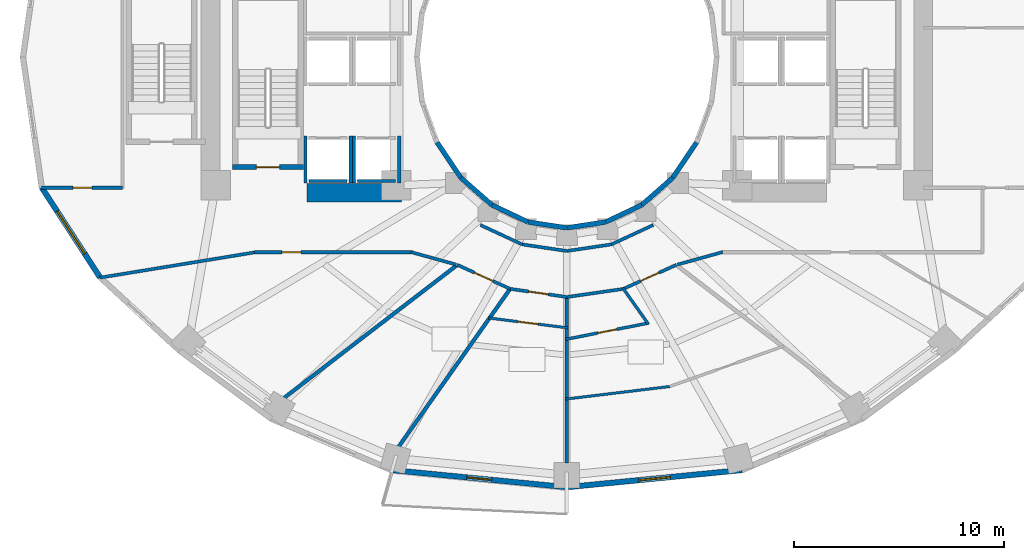
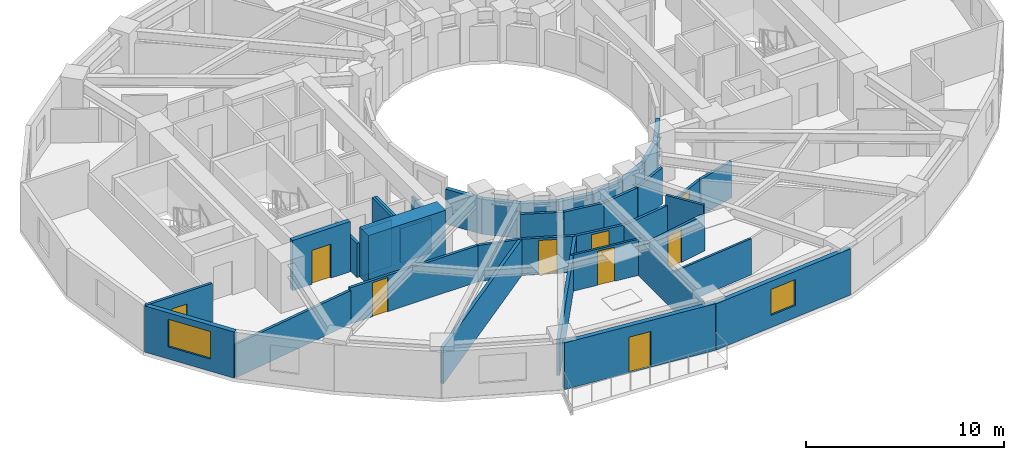
# One storey, part 3 of 10: 39 walls, 9 doors, 2 windows, 11 openings.
"""IFC4 building model written with IfcOpenShell, lengths in metres."""

from ifc_helpers import new_model, si_unit, direction, frame, frame_2d, origin, place, context, subcontext, project, spatial, rectangle, extrude, material, layer, layer_set, type_object, element, fill, save


model = new_model("IFC4")

# Units and contexts
model_context = context("Model", 3, precision=1e-05, world=origin(), true_north=direction((0.0, 1.0)))
body_context = subcontext(model_context, "Body", "Model", "MODEL_VIEW")
ifc_project = project(units=[si_unit("LENGTHUNIT", "METRE"), si_unit("AREAUNIT", "SQUARE_METRE"), si_unit("VOLUMEUNIT", "CUBIC_METRE"), si_unit("PLANEANGLEUNIT", "RADIAN"), si_unit("MASSUNIT", "GRAM", prefix="KILO")], contexts=[model_context])

# Site, building, storey
site_placement = place(None, origin())
site = spatial("IfcSite", under=ifc_project, at=site_placement, CompositionType="ELEMENT")
building_placement = place(site_placement, origin())
building = spatial("IfcBuilding", under=site, at=building_placement, Name="Solvane Sanctuary Tower", CompositionType="ELEMENT")
storey_placement = place(building_placement, frame((0.0, 0.0, 58.60009765625)))
storey = spatial("IfcBuildingStorey", under=building, at=storey_placement, Name="L17", CompositionType="ELEMENT", Elevation=58.60009765625)

# Walls
ifc_material_1 = material(Name="Concrete C70/85", Category="concrete")
ifc_layer_1 = layer(ifc_material_1, 0.89990234375, Name="Concrete C70/85")
ifc_layer_set_1 = layer_set([ifc_layer_1], Name="Concrete C70/85")
wall_type_1 = type_object("IfcWallType", Name="Wall W-CORE-900", PredefinedType="SHEAR", material=ifc_layer_set_1)
wall_1_placement = place(storey_placement, frame((19.64990234375, 16.550048828125, 0.0), z_axis=(0.0, 0.0, 1.0), x_axis=(1.0, 0.0, 0.0)))
element("IfcWall", 1, at=wall_1_placement, inside=storey, type_object=wall_type_1, Name="L17 Core Shear Wall WC-S", PredefinedType="SHEAR", context=body_context, shape_type="SweptSolid", body=[
    extrude(rectangle(XDim=4.5, YDim=0.89990234375, at=frame_2d((2.25, 0.0))), origin(), (0.0, 0.0, 1.0), 3.099853515625),
])
ifc_material_2 = material(Name="Acoustic Gypsum Partition Board")
ifc_layer_2 = layer(ifc_material_2, 0.14990234375, Name="Acoustic Gypsum Partition Board")
ifc_layer_set_2 = layer_set([ifc_layer_2], Name="Acoustic Gypsum Partition Board")
wall_type_2 = type_object("IfcWallType", Name="Wall W-CORR-150", PredefinedType="PARTITIONING", material=ifc_layer_set_2)
wall_2_placement = place(storey_placement, frame((27.889892578125, 15.01513671875, 0.0), z_axis=(0.0, 0.0, 1.0), x_axis=(0.906943449489, -0.421252393975, 0.0)))
element("IfcWall", 2, at=wall_2_placement, inside=storey, type_object=wall_type_2, Name="L17 Light-Well Corridor Rim Wall S1", PredefinedType="PARTITIONING", context=body_context, shape_type="SweptSolid", body=[
    extrude(rectangle(XDim=2.18603515625, YDim=0.14990234375, at=frame_2d((1.093017578125, 0.0))), origin(), (0.0, 0.0, 1.0), 2.23681640625),
])
for number, where, z_axis, x_axis, name in (
    (3, (29.87255859375, 14.09423828125, 0.0), (0.0, 0.0, 1.0), (0.989268584896, -0.146108408166, 0.0), "L17 Light-Well Corridor Rim Wall S2"),
    (4, (32.0, 13.780029296875, 0.0), (0.0, 0.0, 1.0), (0.989268584896, 0.146108408166, 0.0), "L17 Light-Well Corridor Rim Wall S3"),
):
    element("IfcWall", number, at=place(storey_placement, frame(where, z_axis=z_axis, x_axis=x_axis)), inside=storey, type_object=wall_type_2, Name=name, PredefinedType="PARTITIONING", context=body_context, shape_type="SweptSolid", body=[
        extrude(rectangle(XDim=2.150634765625, YDim=0.14990234375, at=frame_2d((1.0751953125, 0.0))), origin(), (0.0, 0.0, 1.0), 2.23681640625),
    ])
wall_3_placement = place(storey_placement, frame((34.12744140625, 14.09423828125, 0.0), z_axis=(0.0, 0.0, 1.0), x_axis=(0.906943449489, 0.421252393975, 0.0)))
element("IfcWall", 5, at=wall_3_placement, inside=storey, type_object=wall_type_2, Name="L17 Light-Well Corridor Rim Wall S4", PredefinedType="PARTITIONING", context=body_context, shape_type="SweptSolid", body=[
    extrude(rectangle(XDim=2.18603515625, YDim=0.14990234375, at=frame_2d((1.093017578125, 0.0))), origin(), (0.0, 0.0, 1.0), 2.23681640625),
])

# Wall, opening, door
wall_4_placement = place(storey_placement, frame((7.013671875, 16.788330078125, 0.0), z_axis=(0.0, 0.0, 1.0), x_axis=(1.0, 0.0, 0.0)))
wall_4 = element("IfcWall", 6, at=wall_4_placement, inside=storey, type_object=wall_type_2, Name="L17 West Shoulder South Wall", PredefinedType="PARTITIONING", context=body_context, shape_type="SweptSolid", body=[
    extrude(rectangle(XDim=3.8662109375, YDim=0.14990234375, at=frame_2d((1.93310546875, 0.0))), origin(), (0.0, 0.0, 1.0), 2.85498046875),
])
opening_1_placement = place(wall_4_placement, frame((1.503173828125, 0.0, 0.0)))
opening_1 = element("IfcOpeningElement", 7, at=opening_1_placement, cuts=wall_4, Name="Opening D-L17-12", PredefinedType="OPENING", context=body_context, shape_type="SweptSolid", body=[
    extrude(rectangle(XDim=0.89990234375, YDim=2.10009765625, at=frame_2d((0.449951171875, 1.050048828125))), frame((0.0, 0.0849609375, 0.0), z_axis=(0.0, -1.0, 0.0), x_axis=(1.0, 0.0, 0.0)), (0.0, 0.0, 1.0), 0.169921875),
])
ifc_material_3 = material(Name="Engineered Tropical Hardwood", Category="wood")
door_type_1 = type_object("IfcDoorType", Name="Door D-WET-900", OperationType="NOTDEFINED", PredefinedType="DOOR", material=ifc_material_3)
door_1_placement = place(opening_1_placement, origin())
door_1 = element("IfcDoor", 8, at=door_1_placement, inside=storey, type_object=door_type_1, Name="L17 West Shoulder South Door", OperationType="SINGLE_SWING_LEFT", OverallHeight=2.10009765625, OverallWidth=0.89990234375, PredefinedType="DOOR", context=body_context, shape_type="SweptSolid", body=[
    extrude(rectangle(XDim=0.89990234375, YDim=2.10009765625, at=frame_2d((0.449951171875, 1.050048828125))), frame((0.0, 0.02490234375, 0.0), z_axis=(0.0, -1.0, 0.0), x_axis=(1.0, 0.0, 0.0)), (0.0, 0.0, 1.0), 0.050048828125),
])
fill(opening_1, door_1)

# Wall
wall_5_placement = place(storey_placement, frame((26.741943359375, 13.13330078125, 0.0), z_axis=(0.0, 0.0, 1.0), x_axis=(-0.963833843713, 0.266503886865, 0.0)))
element("IfcWall", 9, at=wall_5_placement, inside=storey, type_object=wall_type_2, Name="L17 SW Corner Throat Wall", PredefinedType="PARTITIONING", context=body_context, shape_type="SweptSolid", body=[
    extrude(rectangle(XDim=2.231689453125, YDim=0.14990234375, at=frame_2d((1.11572265625, 0.0))), origin(), (0.0, 0.0, 1.0), 2.23681640625),
])

# Wall, opening, door
wall_6_placement = place(storey_placement, frame((17.14990234375, 13.719970703125, 0.0), z_axis=(0.0, 0.0, 1.0), x_axis=(1.0, 0.0, 0.0)))
wall_6 = element("IfcWall", 10, at=wall_6_placement, inside=storey, type_object=wall_type_2, Name="L17 SW Corner Corridor Wall", PredefinedType="PARTITIONING", context=body_context, shape_type="SweptSolid", body=[
    extrude(rectangle(XDim=7.52001953125, YDim=0.14990234375, at=frame_2d((3.760009765625, 0.0))), origin(), (0.0, 0.0, 1.0), 2.23681640625),
])
opening_2_placement = place(wall_6_placement, frame((1.300048828125, 0.0, 0.0)))
opening_2 = element("IfcOpeningElement", 11, at=opening_2_placement, cuts=wall_6, Name="Opening D-L17-17", PredefinedType="OPENING", context=body_context, shape_type="SweptSolid", body=[
    extrude(rectangle(XDim=0.89990234375, YDim=2.10009765625, at=frame_2d((0.449951171875, 1.050048828125))), frame((0.0, 0.0849609375, 0.0), z_axis=(0.0, -1.0, 0.0), x_axis=(1.0, 0.0, 0.0)), (0.0, 0.0, 1.0), 0.169921875),
])
door_2_placement = place(opening_2_placement, origin())
door_2 = element("IfcDoor", 12, at=door_2_placement, inside=storey, type_object=door_type_1, Name="L17 SW Corner Salon Door", OperationType="SINGLE_SWING_RIGHT", OverallHeight=2.10009765625, OverallWidth=0.89990234375, PredefinedType="DOOR", context=body_context, shape_type="SweptSolid", body=[
    extrude(rectangle(XDim=0.89990234375, YDim=2.10009765625, at=frame_2d((0.449951171875, 1.050048828125))), frame((0.0, 0.02490234375, 0.0), z_axis=(0.0, -1.0, 0.0), x_axis=(1.0, 0.0, 0.0)), (0.0, 0.0, 1.0), 0.050048828125),
])
fill(opening_2, door_2)

# Walls
wall_7_placement = place(storey_placement, frame((17.249267578125, 13.72802734375, 0.0), z_axis=(0.0, 0.0, 1.0), x_axis=(-0.98693078372, -0.161144742846, 0.0)))
element("IfcWall", 13, at=wall_7_placement, inside=storey, type_object=wall_type_2, Name="L17 SW Corner Wing Wall", PredefinedType="PARTITIONING", context=body_context, shape_type="SweptSolid", body=[
    extrude(rectangle(XDim=7.55712890625, YDim=0.14990234375, at=frame_2d((3.778564453125, 0.0))), origin(), (0.0, 0.0, 1.0), 2.06884765625),
])
wall_8_placement = place(storey_placement, frame((37.258056640625, 13.13330078125, 0.0), z_axis=(0.0, 0.0, 1.0), x_axis=(0.963833843713, 0.266503886865, 0.0)))
element("IfcWall", 14, at=wall_8_placement, inside=storey, type_object=wall_type_2, Name="L17 SE Corner Throat Wall", PredefinedType="PARTITIONING", context=body_context, shape_type="SweptSolid", body=[
    extrude(rectangle(XDim=2.231689453125, YDim=0.14990234375, at=frame_2d((1.11572265625, 0.0))), origin(), (0.0, 0.0, 1.0), 2.23681640625),
])

# Wall, opening, door
wall_9_placement = place(storey_placement, frame((26.788818359375, 13.12255859375, 0.0), z_axis=(0.0, 0.0, 1.0), x_axis=(0.910568469686, -0.41335827319, 0.0)))
wall_9 = element("IfcWall", 15, at=wall_9_placement, inside=storey, type_object=wall_type_2, Name="L17 Unit Corridor Wall S1", PredefinedType="PARTITIONING", context=body_context, shape_type="SweptSolid", body=[
    extrude(rectangle(XDim=2.771728515625, YDim=0.14990234375, at=frame_2d((1.3857421875, 0.0))), origin(), (0.0, 0.0, 1.0), 2.23681640625),
])
opening_3_placement = place(wall_9_placement, frame((0.910888671875, 0.0, 0.0)))
opening_3 = element("IfcOpeningElement", 16, at=opening_3_placement, cuts=wall_9, Name="Opening D-L17-26", PredefinedType="OPENING", context=body_context, shape_type="SweptSolid", body=[
    extrude(rectangle(XDim=0.949951171875, YDim=2.10009765625, at=frame_2d((0.47509765625, 1.050048828125))), frame((0.0, 0.0849609375, 0.0), z_axis=(0.0, -1.0, 0.0), x_axis=(1.0, 0.0, 0.0)), (0.0, 0.0, 1.0), 0.169921875),
])
door_type_2 = type_object("IfcDoorType", Name="Door D-ROOM-950", OperationType="NOTDEFINED", PredefinedType="DOOR", material=ifc_material_3)
door_3_placement = place(opening_3_placement, origin())
door_3 = element("IfcDoor", 17, at=door_3_placement, inside=storey, type_object=door_type_2, Name="L17 Unit Entrance Door S1", OperationType="SINGLE_SWING_LEFT", OverallHeight=2.10009765625, OverallWidth=0.949951171875, PredefinedType="DOOR", context=body_context, shape_type="SweptSolid", body=[
    extrude(rectangle(XDim=0.949951171875, YDim=2.10009765625, at=frame_2d((0.47509765625, 1.050048828125))), frame((0.0, 0.02490234375, 0.0), z_axis=(0.0, -1.0, 0.0), x_axis=(1.0, 0.0, 0.0)), (0.0, 0.0, 1.0), 0.050048828125),
])
fill(opening_3, door_3)

wall_10_placement = place(storey_placement, frame((29.298583984375, 11.98095703125, 0.0), z_axis=(0.0, 0.0, 1.0), x_axis=(0.989748682384, -0.142819976611, 0.0)))
wall_10 = element("IfcWall", 18, at=wall_10_placement, inside=storey, type_object=wall_type_2, Name="L17 Unit Corridor Wall S2", PredefinedType="PARTITIONING", context=body_context, shape_type="SweptSolid", body=[
    extrude(rectangle(XDim=2.73681640625, YDim=0.14990234375, at=frame_2d((1.368408203125, 0.0))), origin(), (0.0, 0.0, 1.0), 2.23681640625),
])
opening_4_placement = place(wall_10_placement, frame((0.893310546875, 0.0, 0.0)))
opening_4 = element("IfcOpeningElement", 19, at=opening_4_placement, cuts=wall_10, Name="Opening D-L17-28", PredefinedType="OPENING", context=body_context, shape_type="SweptSolid", body=[
    extrude(rectangle(XDim=0.949951171875, YDim=2.10009765625, at=frame_2d((0.47509765625, 1.050048828125))), frame((0.0, 0.0849609375, 0.0), z_axis=(0.0, -1.0, 0.0), x_axis=(1.0, 0.0, 0.0)), (0.0, 0.0, 1.0), 0.169921875),
])
door_4_placement = place(opening_4_placement, origin())
door_4 = element("IfcDoor", 20, at=door_4_placement, inside=storey, type_object=door_type_2, Name="L17 Unit Entrance Door S2", OperationType="SINGLE_SWING_LEFT", OverallHeight=2.10009765625, OverallWidth=0.949951171875, PredefinedType="DOOR", context=body_context, shape_type="SweptSolid", body=[
    extrude(rectangle(XDim=0.949951171875, YDim=2.10009765625, at=frame_2d((0.47509765625, 1.050048828125))), frame((0.0, 0.02490234375, 0.0), z_axis=(0.0, -1.0, 0.0), x_axis=(1.0, 0.0, 0.0)), (0.0, 0.0, 1.0), 0.050048828125),
])
fill(opening_4, door_4)

# Wall
wall_11_placement = place(storey_placement, frame((31.950439453125, 11.5830078125, 0.0), z_axis=(0.0, 0.0, 1.0), x_axis=(0.989761784218, 0.142729150844, 0.0)))
element("IfcWall", 21, at=wall_11_placement, inside=storey, type_object=wall_type_2, Name="L17 En-suite Inner Wall S3", PredefinedType="PARTITIONING", context=body_context, shape_type="SweptSolid", body=[
    extrude(rectangle(XDim=2.822265625, YDim=0.14990234375, at=frame_2d((1.4111328125, 0.0))), origin(), (0.0, 0.0, 1.0), 2.23681640625),
])

# Wall, opening, door
wall_12_placement = place(storey_placement, frame((34.687255859375, 11.976806640625, 0.0), z_axis=(0.0, 0.0, 1.0), x_axis=(0.910568469686, 0.41335827319, 0.0)))
wall_12 = element("IfcWall", 22, at=wall_12_placement, inside=storey, type_object=wall_type_2, Name="L17 Unit Corridor Wall S3", PredefinedType="PARTITIONING", context=body_context, shape_type="SweptSolid", body=[
    extrude(rectangle(XDim=2.771728515625, YDim=0.14990234375, at=frame_2d((1.3857421875, 0.0))), origin(), (0.0, 0.0, 1.0), 2.23681640625),
])
opening_5_placement = place(wall_12_placement, frame((0.910888671875, 0.0, 0.0)))
opening_5 = element("IfcOpeningElement", 23, at=opening_5_placement, cuts=wall_12, Name="Opening D-L17-31", PredefinedType="OPENING", context=body_context, shape_type="SweptSolid", body=[
    extrude(rectangle(XDim=0.949951171875, YDim=2.10009765625, at=frame_2d((0.47509765625, 1.050048828125))), frame((0.0, 0.0849609375, 0.0), z_axis=(0.0, -1.0, 0.0), x_axis=(1.0, 0.0, 0.0)), (0.0, 0.0, 1.0), 0.169921875),
])
door_5_placement = place(opening_5_placement, origin())
door_5 = element("IfcDoor", 24, at=door_5_placement, inside=storey, type_object=door_type_2, Name="L17 Unit Entrance Door S3", OperationType="SINGLE_SWING_RIGHT", OverallHeight=2.10009765625, OverallWidth=0.949951171875, PredefinedType="DOOR", context=body_context, shape_type="SweptSolid", body=[
    extrude(rectangle(XDim=0.949951171875, YDim=2.10009765625, at=frame_2d((0.47509765625, 1.050048828125))), frame((0.0, 0.02490234375, 0.0), z_axis=(0.0, -1.0, 0.0), x_axis=(1.0, 0.0, 0.0)), (0.0, 0.0, 1.0), 0.050048828125),
])
fill(opening_5, door_5)

# Wall, opening, window
ifc_material_4 = material(Name="Precast concrete C40/50", Category="concrete")
ifc_layer_3 = layer(ifc_material_4, 0.260009765625, Name="Precast concrete C40/50")
ifc_layer_set_3 = layer_set([ifc_layer_3], Name="Precast concrete C40/50")
wall_type_3 = type_object("IfcWallType", Name="Wall W-EXT-250", PredefinedType="STANDARD", material=ifc_layer_set_3)
wall_13_placement = place(storey_placement, frame((7.033447265625, 16.794677734375, 0.0), z_axis=(0.0, 0.0, 1.0), x_axis=(0.544578722263, -0.838709732421, 0.0)))
wall_13 = element("IfcWall", 25, at=wall_13_placement, inside=storey, type_object=wall_type_3, Name="L17 Ceramic-Printed Facade Wall 13", PredefinedType="STANDARD", context=body_context, shape_type="SweptSolid", body=[
    extrude(rectangle(XDim=5.091552734375, YDim=0.260009765625, at=frame_2d((2.5458984375, 0.0))), origin(), (0.0, 0.0, 1.0), 2.849853515625),
])
opening_6_placement = place(wall_13_placement, frame((1.345703125, 0.0, 0.75)))
opening_6 = element("IfcOpeningElement", 26, at=opening_6_placement, cuts=wall_13, Name="Opening WN-RIB-2400", PredefinedType="OPENING", context=body_context, shape_type="SweptSolid", body=[
    extrude(rectangle(XDim=2.39990234375, YDim=1.699951171875, at=frame_2d((1.199951171875, 0.85009765625))), frame((0.0, 0.139892578125, 0.0), z_axis=(0.0, -1.0, 0.0), x_axis=(1.0, 0.0, 0.0)), (0.0, 0.0, 1.0), 0.280029296875),
])
ifc_material_5 = material(Name="Dark Ceramic-Fritted Low-E Glass", Category="glass")
window_type_1 = type_object("IfcWindowType", Name="Window WN-RIB-2400", PartitioningType="SINGLE_PANEL", PredefinedType="WINDOW", material=ifc_material_5)
window_1_placement = place(opening_6_placement, origin())
window_1 = element("IfcWindow", 27, at=window_1_placement, inside=storey, type_object=window_type_1, Name="L17 Operable Facade Window 13", OverallHeight=1.699951171875, OverallWidth=2.39990234375, PartitioningType="SINGLE_PANEL", PredefinedType="WINDOW", context=body_context, shape_type="SweptSolid", body=[
    extrude(rectangle(XDim=2.39990234375, YDim=1.699951171875, at=frame_2d((1.199951171875, 0.85009765625))), frame((0.0, 0.030029296875, 0.0), z_axis=(0.0, -1.0, 0.0), x_axis=(1.0, 0.0, 0.0)), (0.0, 0.0, 1.0), 0.06005859375),
])
fill(opening_6, window_1)

# Wall, opening, door
wall_14_placement = place(storey_placement, frame((23.668212890625, 3.36376953125, 0.0), z_axis=(0.0, 0.0, 1.0), x_axis=(0.995247718352, -0.097375454379, 0.0)))
wall_14 = element("IfcWall", 28, at=wall_14_placement, inside=storey, type_object=wall_type_3, Name="L17 Balcony Facade Wall SC", PredefinedType="STANDARD", context=body_context, shape_type="SweptSolid", body=[
    extrude(rectangle(XDim=8.37158203125, YDim=0.260009765625, at=frame_2d((4.185791015625, 0.0))), origin(), (0.0, 0.0, 1.0), 2.8798828125),
])
opening_7_placement = place(wall_14_placement, frame((3.585693359375, 0.0, 0.0)))
opening_7 = element("IfcOpeningElement", 29, at=opening_7_placement, cuts=wall_14, Name="Opening D-L17-02", PredefinedType="OPENING", context=body_context, shape_type="SweptSolid", body=[
    extrude(rectangle(XDim=1.199951171875, YDim=2.199951171875, at=frame_2d((0.60009765625, 1.10009765625))), frame((0.0, 0.139892578125, 0.0), z_axis=(0.0, -1.0, 0.0), x_axis=(1.0, 0.0, 0.0)), (0.0, 0.0, 1.0), 0.280029296875),
])
ifc_material_6 = material(Name="Anodised Aluminium 6063-T6", Category="aluminium")
door_type_3 = type_object("IfcDoorType", Name="Door D-BALC-1200", OperationType="NOTDEFINED", PredefinedType="DOOR", material=ifc_material_6)
door_6_placement = place(opening_7_placement, origin())
door_6 = element("IfcDoor", 30, at=door_6_placement, inside=storey, type_object=door_type_3, Name="L17 Glazed Balcony Door SC", OperationType="SINGLE_SWING_LEFT", OverallHeight=2.199951171875, OverallWidth=1.199951171875, PredefinedType="DOOR", context=body_context, shape_type="SweptSolid", body=[
    extrude(rectangle(XDim=1.199951171875, YDim=2.199951171875, at=frame_2d((0.60009765625, 1.10009765625))), frame((0.0, 0.02490234375, 0.0), z_axis=(0.0, -1.0, 0.0), x_axis=(1.0, 0.0, 0.0)), (0.0, 0.0, 1.0), 0.050048828125),
])
fill(opening_7, door_6)

# Wall, opening, window
wall_15_placement = place(storey_placement, frame((32.0, 2.548583984375, 0.0), z_axis=(0.0, 0.0, 1.0), x_axis=(0.995247718352, 0.097375454379, 0.0)))
wall_15 = element("IfcWall", 31, at=wall_15_placement, inside=storey, type_object=wall_type_3, Name="L17 Ceramic-Printed Facade Wall 18", PredefinedType="STANDARD", context=body_context, shape_type="SweptSolid", body=[
    extrude(rectangle(XDim=8.37158203125, YDim=0.260009765625, at=frame_2d((4.185791015625, 0.0))), origin(), (0.0, 0.0, 1.0), 2.849853515625),
])
opening_8_placement = place(wall_15_placement, frame((3.435791015625, 0.0, 0.75)))
opening_8 = element("IfcOpeningElement", 32, at=opening_8_placement, cuts=wall_15, Name="Opening WN-OPER-1500", PredefinedType="OPENING", context=body_context, shape_type="SweptSolid", body=[
    extrude(rectangle(XDim=1.5, YDim=1.60009765625, at=frame_2d((0.75, 0.800048828125))), frame((0.0, 0.139892578125, 0.0), z_axis=(0.0, -1.0, 0.0), x_axis=(1.0, 0.0, 0.0)), (0.0, 0.0, 1.0), 0.280029296875),
])
window_type_2 = type_object("IfcWindowType", Name="Window WN-OPER-1500", PartitioningType="SINGLE_PANEL", PredefinedType="WINDOW", material=ifc_material_5)
window_2_placement = place(opening_8_placement, origin())
window_2 = element("IfcWindow", 33, at=window_2_placement, inside=storey, type_object=window_type_2, Name="L17 Operable Facade Window 18", OverallHeight=1.60009765625, OverallWidth=1.5, PartitioningType="SINGLE_PANEL", PredefinedType="WINDOW", context=body_context, shape_type="SweptSolid", body=[
    extrude(rectangle(XDim=1.5, YDim=1.60009765625, at=frame_2d((0.75, 0.800048828125))), frame((0.0, 0.030029296875, 0.0), z_axis=(0.0, -1.0, 0.0), x_axis=(1.0, 0.0, 0.0)), (0.0, 0.0, 1.0), 0.06005859375),
])
fill(opening_8, window_2)

# Walls
ifc_layer_4 = layer(ifc_material_4, 0.22998046875, Name="Precast concrete C40/50")
ifc_layer_set_4 = layer_set([ifc_layer_4], Name="Precast concrete C40/50")
wall_type_4 = type_object("IfcWallType", Name="Wall W-EXT-SP220", PredefinedType="STANDARD", material=ifc_layer_set_4)
wall_16_placement = place(storey_placement, frame((25.833984375, 18.93994140625, 0.0), z_axis=(0.0, 0.0, 1.0), x_axis=(0.558197800898, -0.829707909492, 0.0)))
element("IfcWall", 34, at=wall_16_placement, inside=storey, type_object=wall_type_4, Name="L17 Central Light-Well Wall 14", PredefinedType="STANDARD", context=body_context, shape_type="SweptSolid", body=[
    extrude(rectangle(XDim=2.02685546875, YDim=0.22998046875, at=frame_2d((1.013427734375, 0.0))), origin(), (0.0, 0.0, 1.0), 2.159912109375),
])
wall_17_placement = place(storey_placement, frame((26.96533203125, 17.25830078125, 0.0), z_axis=(0.0, 0.0, 1.0), x_axis=(0.752576694707, -0.658504607869, 0.0)))
element("IfcWall", 35, at=wall_17_placement, inside=storey, type_object=wall_type_4, Name="L17 Central Light-Well Wall 15", PredefinedType="STANDARD", context=body_context, shape_type="SweptSolid", body=[
    extrude(rectangle(XDim=1.95947265625, YDim=0.22998046875, at=frame_2d((0.979736328125, 0.0))), origin(), (0.0, 0.0, 1.0), 2.159912109375),
])
wall_18_placement = place(storey_placement, frame((28.43994140625, 15.968017578125, 0.0), z_axis=(0.0, 0.0, 1.0), x_axis=(0.904179699603, -0.427152280606, 0.0)))
element("IfcWall", 36, at=wall_18_placement, inside=storey, type_object=wall_type_4, Name="L17 Central Light-Well Wall 16", PredefinedType="STANDARD", context=body_context, shape_type="SweptSolid", body=[
    extrude(rectangle(XDim=1.899169921875, YDim=0.22998046875, at=frame_2d((0.94970703125, 0.0))), origin(), (0.0, 0.0, 1.0), 2.159912109375),
])
for number, where, z_axis, x_axis, name in (
    (37, (30.1572265625, 15.15673828125, 0.0), (0.0, 0.0, 1.0), (0.988901730308, -0.148571086668, 0.0), "L17 Central Light-Well Wall 17"),
    (38, (32.0, 14.8798828125, 0.0), (0.0, 0.0, 1.0), (0.988901730308, 0.148571086668, 0.0), "L17 Central Light-Well Wall 18"),
):
    element("IfcWall", number, at=place(storey_placement, frame(where, z_axis=z_axis, x_axis=x_axis)), inside=storey, type_object=wall_type_4, Name=name, PredefinedType="STANDARD", context=body_context, shape_type="SweptSolid", body=[
        extrude(rectangle(XDim=1.863525390625, YDim=0.22998046875, at=frame_2d((0.931640625, 0.0))), origin(), (0.0, 0.0, 1.0), 2.159912109375),
    ])
wall_19_placement = place(storey_placement, frame((33.8427734375, 15.15673828125, 0.0), z_axis=(0.0, 0.0, 1.0), x_axis=(0.904179699603, 0.427152280606, 0.0)))
element("IfcWall", 39, at=wall_19_placement, inside=storey, type_object=wall_type_4, Name="L17 Central Light-Well Wall 19", PredefinedType="STANDARD", context=body_context, shape_type="SweptSolid", body=[
    extrude(rectangle(XDim=1.899169921875, YDim=0.22998046875, at=frame_2d((0.94970703125, 0.0))), origin(), (0.0, 0.0, 1.0), 2.159912109375),
])
wall_20_placement = place(storey_placement, frame((35.56005859375, 15.968017578125, 0.0), z_axis=(0.0, 0.0, 1.0), x_axis=(0.752576694707, 0.658504607869, 0.0)))
element("IfcWall", 40, at=wall_20_placement, inside=storey, type_object=wall_type_4, Name="L17 Central Light-Well Wall 20", PredefinedType="STANDARD", context=body_context, shape_type="SweptSolid", body=[
    extrude(rectangle(XDim=1.95947265625, YDim=0.22998046875, at=frame_2d((0.979736328125, 0.0))), origin(), (0.0, 0.0, 1.0), 2.159912109375),
])
wall_21_placement = place(storey_placement, frame((37.03466796875, 17.25830078125, 0.0), z_axis=(0.0, 0.0, 1.0), x_axis=(0.558197800898, 0.829707909492, 0.0)))
element("IfcWall", 41, at=wall_21_placement, inside=storey, type_object=wall_type_4, Name="L17 Central Light-Well Wall 21", PredefinedType="STANDARD", context=body_context, shape_type="SweptSolid", body=[
    extrude(rectangle(XDim=2.02685546875, YDim=0.22998046875, at=frame_2d((1.013427734375, 0.0))), origin(), (0.0, 0.0, 1.0), 2.159912109375),
])

# Wall, opening, door
ifc_layer_5 = layer(ifc_material_2, 0.1201171875, Name="Acoustic Gypsum Partition Board")
ifc_layer_set_5 = layer_set([ifc_layer_5], Name="Acoustic Gypsum Partition Board")
wall_type_5 = type_object("IfcWallType", Name="Wall W-MOV-100", PredefinedType="MOVABLE", material=ifc_layer_set_5)
wall_22_placement = place(storey_placement, frame((28.2744140625, 10.595703125, 0.0), z_axis=(0.0, 0.0, 1.0), x_axis=(0.992245264378, -0.124295355177, 0.0)))
wall_22 = element("IfcWall", 42, at=wall_22_placement, inside=storey, type_object=wall_type_5, Name="L17 Suite Sitting Lounge Partition S2", PredefinedType="MOVABLE", context=body_context, shape_type="SweptSolid", body=[
    extrude(rectangle(XDim=3.8046875, YDim=0.1201171875, at=frame_2d((1.90234375, 0.0))), origin(), (0.0, 0.0, 1.0), 2.23681640625),
])
opening_9_placement = place(wall_22_placement, frame((1.42724609375, 0.0, 0.0)))
opening_9 = element("IfcOpeningElement", 43, at=opening_9_placement, cuts=wall_22, Name="Opening D-L17-27", PredefinedType="OPENING", context=body_context, shape_type="SweptSolid", body=[
    extrude(rectangle(XDim=0.949951171875, YDim=2.10009765625, at=frame_2d((0.47509765625, 1.050048828125))), frame((0.0, 0.070068359375, 0.0), z_axis=(0.0, -1.0, 0.0), x_axis=(1.0, 0.0, 0.0)), (0.0, 0.0, 1.0), 0.14013671875),
])
door_7_placement = place(opening_9_placement, origin())
door_7 = element("IfcDoor", 44, at=door_7_placement, inside=storey, type_object=door_type_2, Name="L17 Suite Sitting Lounge Door S2", OperationType="SINGLE_SWING_RIGHT", OverallHeight=2.10009765625, OverallWidth=0.949951171875, PredefinedType="DOOR", context=body_context, shape_type="SweptSolid", body=[
    extrude(rectangle(XDim=0.949951171875, YDim=2.10009765625, at=frame_2d((0.47509765625, 1.050048828125))), frame((0.0, 0.02490234375, 0.0), z_axis=(0.0, -1.0, 0.0), x_axis=(1.0, 0.0, 0.0)), (0.0, 0.0, 1.0), 0.050048828125),
])
fill(opening_9, door_7)

# Walls
wall_23_placement = place(storey_placement, frame((31.950439453125, 6.7392578125, 0.0), z_axis=(0.0, 0.0, 1.0), x_axis=(0.992797021108, 0.11980849252, 0.0)))
element("IfcWall", 45, at=wall_23_placement, inside=storey, type_object=wall_type_5, Name="L17 Suite Sitting Lounge Partition S3", PredefinedType="MOVABLE", context=body_context, shape_type="SweptSolid", body=[
    extrude(rectangle(XDim=4.978271484375, YDim=0.1201171875, at=frame_2d((2.4892578125, 0.0))), origin(), (0.0, 0.0, 1.0), 2.23681640625),
])
ifc_material_7 = material(Name="Concrete C50/60", Category="concrete")
ifc_layer_6 = layer(ifc_material_7, 0.14990234375, Name="Concrete C50/60")
ifc_layer_set_6 = layer_set([ifc_layer_6], Name="Concrete C50/60")
wall_type_6 = type_object("IfcWallType", Name="Wall W-SHAFT-150", PredefinedType="SOLIDWALL", material=ifc_layer_set_6)
wall_24_placement = place(storey_placement, frame((19.739990234375, 17.10009765625, 0.0), z_axis=(0.0, 0.0, 1.0), x_axis=(1.0, 0.0, 0.0)))
element("IfcWall", 46, at=wall_24_placement, inside=storey, type_object=wall_type_6, Name="L17 PL-1 Lift Shaft Wall B", PredefinedType="SOLIDWALL", context=body_context, shape_type="SweptSolid", body=[
    extrude(rectangle(XDim=1.820068359375, YDim=0.14990234375, at=frame_2d((0.91015625, 0.0))), origin(), (0.0, 0.0, 1.0), 2.85498046875),
])
wall_25_placement = place(storey_placement, frame((19.570068359375, 17.02001953125, 0.0), z_axis=(0.0, 0.0, 1.0), x_axis=(0.0, 1.0, 0.0)))
element("IfcWall", 47, at=wall_25_placement, inside=storey, type_object=wall_type_6, Name="L17 PL-1 Lift Shaft Wall S1", PredefinedType="SOLIDWALL", context=body_context, shape_type="SweptSolid", body=[
    extrude(rectangle(XDim=2.219970703125, YDim=0.14990234375, at=frame_2d((1.10986328125, 0.0))), origin(), (0.0, 0.0, 1.0), 2.119873046875),
])
wall_26_placement = place(storey_placement, frame((21.72998046875, 17.02001953125, 0.0), z_axis=(0.0, 0.0, 1.0), x_axis=(0.0, 1.0, 0.0)))
element("IfcWall", 48, at=wall_26_placement, inside=storey, type_object=wall_type_6, Name="L17 PL-1 Lift Shaft Wall S2", PredefinedType="SOLIDWALL", context=body_context, shape_type="SweptSolid", body=[
    extrude(rectangle(XDim=2.219970703125, YDim=0.14990234375, at=frame_2d((1.10986328125, 0.0))), origin(), (0.0, 0.0, 1.0), 2.85498046875),
])
wall_27_placement = place(storey_placement, frame((22.0400390625, 17.10009765625, 0.0), z_axis=(0.0, 0.0, 1.0), x_axis=(1.0, 0.0, 0.0)))
element("IfcWall", 49, at=wall_27_placement, inside=storey, type_object=wall_type_6, Name="L17 PL-2 Lift Shaft Wall B", PredefinedType="SOLIDWALL", context=body_context, shape_type="SweptSolid", body=[
    extrude(rectangle(XDim=1.820068359375, YDim=0.14990234375, at=frame_2d((0.91015625, 0.0))), origin(), (0.0, 0.0, 1.0), 2.119873046875),
])
wall_28_placement = place(storey_placement, frame((21.8701171875, 17.02001953125, 0.0), z_axis=(0.0, 0.0, 1.0), x_axis=(0.0, 1.0, 0.0)))
element("IfcWall", 50, at=wall_28_placement, inside=storey, type_object=wall_type_6, Name="L17 PL-2 Lift Shaft Wall S1", PredefinedType="SOLIDWALL", context=body_context, shape_type="SweptSolid", body=[
    extrude(rectangle(XDim=2.219970703125, YDim=0.14990234375, at=frame_2d((1.10986328125, 0.0))), origin(), (0.0, 0.0, 1.0), 2.85498046875),
])
wall_29_placement = place(storey_placement, frame((24.030029296875, 17.02001953125, 0.0), z_axis=(0.0, 0.0, 1.0), x_axis=(0.0, 1.0, 0.0)))
element("IfcWall", 51, at=wall_29_placement, inside=storey, type_object=wall_type_6, Name="L17 PL-2 Lift Shaft Wall S2", PredefinedType="SOLIDWALL", context=body_context, shape_type="SweptSolid", body=[
    extrude(rectangle(XDim=2.219970703125, YDim=0.14990234375, at=frame_2d((1.10986328125, 0.0))), origin(), (0.0, 0.0, 1.0), 2.119873046875),
])

# Wall, opening, door
ifc_layer_7 = layer(ifc_material_7, 0.25, Name="Concrete C50/60")
ifc_layer_set_7 = layer_set([ifc_layer_7], Name="Concrete C50/60")
wall_type_7 = type_object("IfcWallType", Name="Wall W-SHAFT-250", PredefinedType="SOLIDWALL", material=ifc_layer_set_7)
wall_30_placement = place(storey_placement, frame((16.10498046875, 17.77001953125, 0.0), z_axis=(0.0, 0.0, 1.0), x_axis=(1.0, 0.0, 0.0)))
wall_30 = element("IfcWall", 52, at=wall_30_placement, inside=storey, type_object=wall_type_7, Name="L17 ST-1 Load-Bearing Shaft Wall S", PredefinedType="SOLIDWALL", context=body_context, shape_type="SweptSolid", body=[
    extrude(rectangle(XDim=3.3701171875, YDim=0.25, at=frame_2d((1.68505859375, 0.0))), origin(), (0.0, 0.0, 1.0), 3.099853515625),
])
opening_10_placement = place(wall_30_placement, frame((1.135009765625, 0.0, 0.0)))
opening_10 = element("IfcOpeningElement", 53, at=opening_10_placement, cuts=wall_30, Name="Opening D-L17-03", PredefinedType="OPENING", context=body_context, shape_type="SweptSolid", body=[
    extrude(rectangle(XDim=1.10009765625, YDim=2.10009765625, at=frame_2d((0.550048828125, 1.050048828125))), frame((0.0, 0.135009765625, 0.0), z_axis=(0.0, -1.0, 0.0), x_axis=(1.0, 0.0, 0.0)), (0.0, 0.0, 1.0), 0.27001953125),
])
ifc_material_8 = material(Name="Architectural Stainless Steel 316", Category="steel")
door_type_4 = type_object("IfcDoorType", Name="Door D-STAIR", OperationType="NOTDEFINED", PredefinedType="DOOR", material=ifc_material_8)
door_8_placement = place(opening_10_placement, origin())
door_8 = element("IfcDoor", 54, at=door_8_placement, inside=storey, type_object=door_type_4, Name="L17 ST-1 Exit Stair Fire Door", OperationType="SINGLE_SWING_LEFT", OverallHeight=2.10009765625, OverallWidth=1.10009765625, PredefinedType="DOOR", context=body_context, shape_type="SweptSolid", body=[
    extrude(rectangle(XDim=1.10009765625, YDim=2.10009765625, at=frame_2d((0.550048828125, 1.050048828125))), frame((0.0, 0.02490234375, 0.0), z_axis=(0.0, -1.0, 0.0), x_axis=(1.0, 0.0, 0.0)), (0.0, 0.0, 1.0), 0.050048828125),
])
fill(opening_10, door_8)

# Walls
ifc_layer_8 = layer(ifc_material_2, 0.179931640625, Name="Acoustic Gypsum Partition Board")
ifc_layer_set_8 = layer_set([ifc_layer_8], Name="Acoustic Gypsum Partition Board")
wall_type_8 = type_object("IfcWallType", Name="Wall W-UNIT-180", PredefinedType="PARTITIONING", material=ifc_layer_set_8)
wall_31_placement = place(storey_placement, frame((26.75146484375, 13.085205078125, 0.0), z_axis=(0.0, 0.0, 1.0), x_axis=(-0.793181014702, -0.608985942298, 0.0)))
element("IfcWall", 55, at=wall_31_placement, inside=storey, type_object=wall_type_8, Name="L17 Radial Compartment Wall 240", PredefinedType="PARTITIONING", context=body_context, shape_type="SweptSolid", body=[
    extrude(rectangle(XDim=10.323974609375, YDim=0.179931640625, at=frame_2d((5.162109375, 0.0))), origin(), (0.0, 0.0, 1.0), 2.23681640625),
])
wall_32_placement = place(storey_placement, frame((29.27392578125, 11.933837890625, 0.0), z_axis=(0.0, 0.0, 1.0), x_axis=(-0.577036915124, -0.816718065543, 0.0)))
element("IfcWall", 56, at=wall_32_placement, inside=storey, type_object=wall_type_8, Name="L17 Radial Compartment Wall 255", PredefinedType="PARTITIONING", context=body_context, shape_type="SweptSolid", body=[
    extrude(rectangle(XDim=9.130859375, YDim=0.179931640625, at=frame_2d((4.5654296875, 0.0))), origin(), (0.0, 0.0, 1.0), 2.23681640625),
])
wall_33_placement = place(storey_placement, frame((32.0, 11.534912109375, 0.0), z_axis=(0.0, 0.0, 1.0), x_axis=(0.0, -1.0, 0.0)))
element("IfcWall", 57, at=wall_33_placement, inside=storey, type_object=wall_type_8, Name="L17 Radial Compartment Wall 270", PredefinedType="PARTITIONING", context=body_context, shape_type="SweptSolid", body=[
    extrude(rectangle(XDim=7.8349609375, YDim=0.179931640625, at=frame_2d((3.91748046875, 0.0))), origin(), (0.0, 0.0, 1.0), 2.23681640625),
])
ifc_layer_9 = layer(ifc_material_2, 0.139892578125, Name="Acoustic Gypsum Partition Board")
ifc_layer_set_9 = layer_set([ifc_layer_9], Name="Acoustic Gypsum Partition Board")
wall_type_9 = type_object("IfcWallType", Name="Wall W-WET-140", PredefinedType="PLUMBINGWALL", material=ifc_layer_set_9)
wall_34_placement = place(storey_placement, frame((34.665283203125, 12.01953125, 0.0), z_axis=(0.0, 0.0, 1.0), x_axis=(0.577139575342, -0.816645523207, 0.0)))
element("IfcWall", 58, at=wall_34_placement, inside=storey, type_object=wall_type_9, Name="L17 En-suite Side Partition S3", PredefinedType="PLUMBINGWALL", context=body_context, shape_type="SweptSolid", body=[
    extrude(rectangle(XDim=2.099853515625, YDim=0.139892578125, at=frame_2d((1.0498046875, 0.0))), origin(), (0.0, 0.0, 1.0), 2.85498046875),
])

# Wall, opening, door
wall_35_placement = place(storey_placement, frame((31.950927734375, 9.580322265625, 0.0), z_axis=(0.0, 0.0, 1.0), x_axis=(0.981274848728, 0.19261274946, 0.0)))
wall_35 = element("IfcWall", 59, at=wall_35_placement, inside=storey, type_object=wall_type_9, Name="L17 En-suite Bedroom Wall S3", PredefinedType="PLUMBINGWALL", context=body_context, shape_type="SweptSolid", body=[
    extrude(rectangle(XDim=4.021728515625, YDim=0.139892578125, at=frame_2d((2.0107421875, 0.0))), origin(), (0.0, 0.0, 1.0), 2.23681640625),
])
opening_11_placement = place(wall_35_placement, frame((1.560791015625, 0.0, 0.0)))
opening_11 = element("IfcOpeningElement", 60, at=opening_11_placement, cuts=wall_35, Name="Opening D-L17-30", PredefinedType="OPENING", context=body_context, shape_type="SweptSolid", body=[
    extrude(rectangle(XDim=0.89990234375, YDim=2.10009765625, at=frame_2d((0.449951171875, 1.050048828125))), frame((0.0, 0.079833984375, 0.0), z_axis=(0.0, -1.0, 0.0), x_axis=(1.0, 0.0, 0.0)), (0.0, 0.0, 1.0), 0.159912109375),
])
door_9_placement = place(opening_11_placement, origin())
door_9 = element("IfcDoor", 61, at=door_9_placement, inside=storey, type_object=door_type_1, Name="L17 En-suite Bathroom Door S3", OperationType="SINGLE_SWING_LEFT", OverallHeight=2.10009765625, OverallWidth=0.89990234375, PredefinedType="DOOR", context=body_context, shape_type="SweptSolid", body=[
    extrude(rectangle(XDim=0.89990234375, YDim=2.10009765625, at=frame_2d((0.449951171875, 1.050048828125))), frame((0.0, 0.02490234375, 0.0), z_axis=(0.0, -1.0, 0.0), x_axis=(1.0, 0.0, 0.0)), (0.0, 0.0, 1.0), 0.050048828125),
])
fill(opening_11, door_9)

save(model, "model.ifc")
